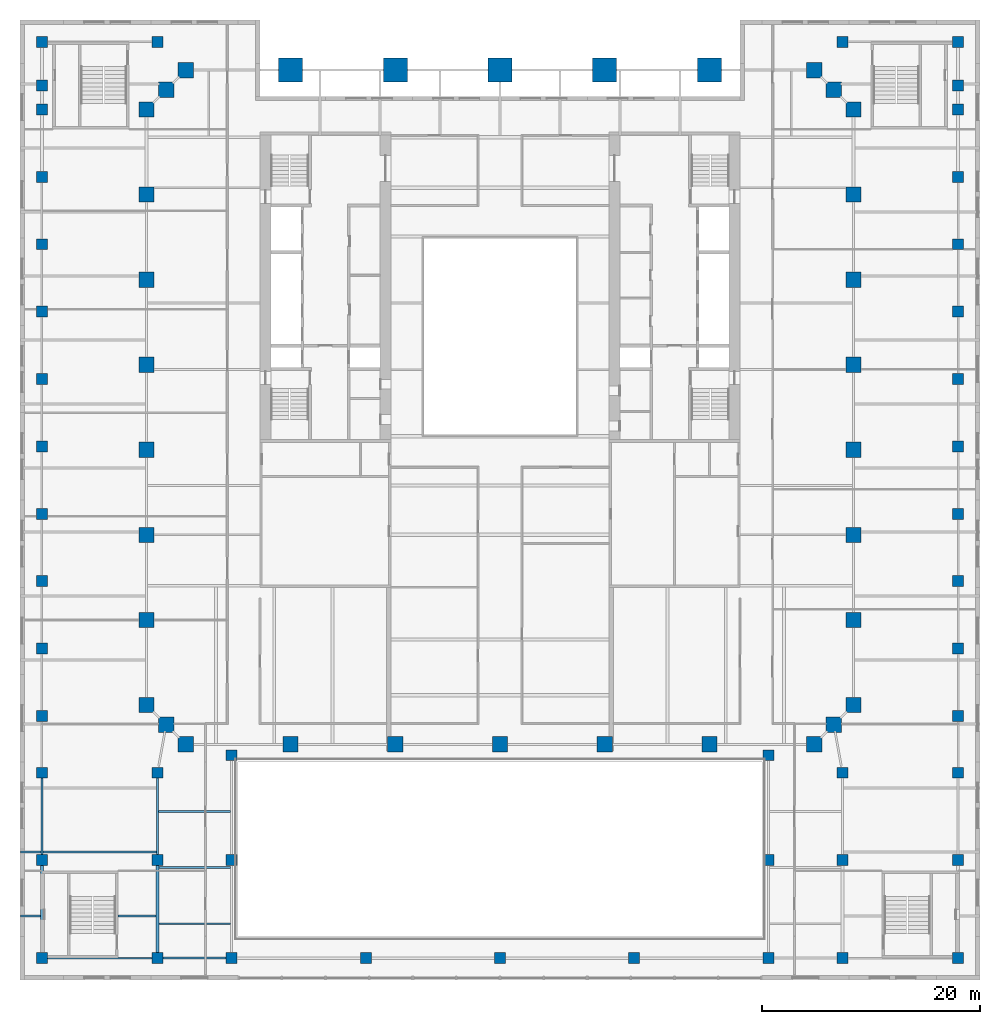
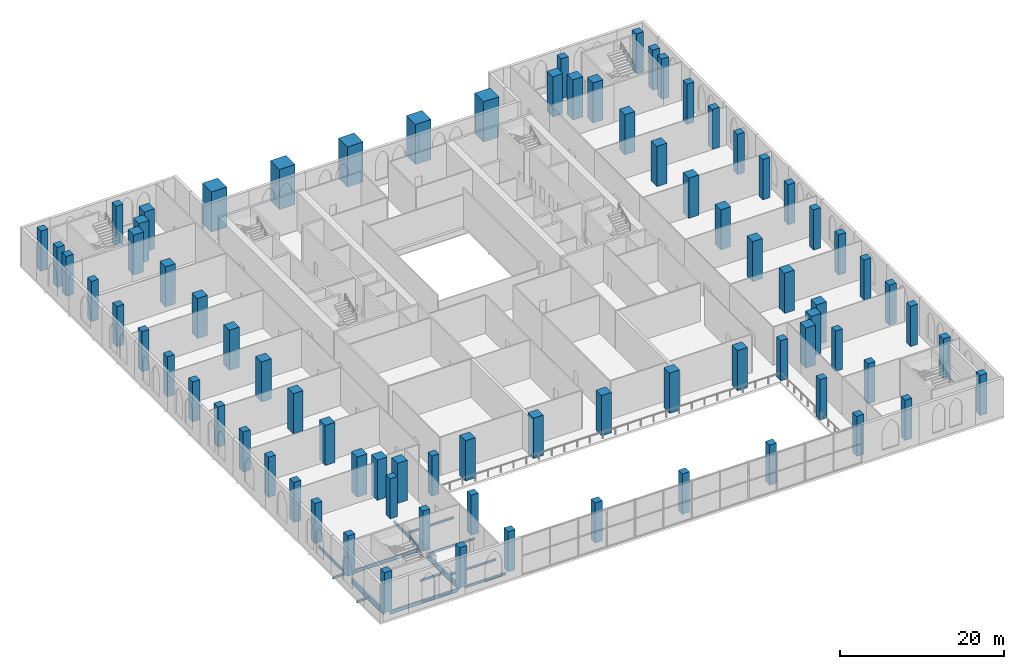
# One storey, part 1 of 21: 81 columns, 13 beams.
"""IFC4 building model written with IfcOpenShell, lengths in metres."""

from ifc_helpers import new_model, si_unit, direction, frame, origin, origin_2d, place, context, subcontext, project, spatial, rectangle, i_section, extrude, material, material_profile, profile_set, type_object, element, save


model = new_model("IFC4")

# Units and contexts
model_context = context("Model", 3, precision=1e-05, world=origin(), true_north=direction((0.0, 1.0)))
body_context = subcontext(model_context, "Body", "Model", "MODEL_VIEW")
ifc_project = project(units=[si_unit("LENGTHUNIT", "METRE"), si_unit("AREAUNIT", "SQUARE_METRE"), si_unit("VOLUMEUNIT", "CUBIC_METRE"), si_unit("PLANEANGLEUNIT", "RADIAN"), si_unit("MASSUNIT", "GRAM", prefix="KILO")], contexts=[model_context])

# Site, building, storey
site_placement = place(None, origin())
site = spatial("IfcSite", under=ifc_project, at=site_placement, CompositionType="ELEMENT")
building_placement = place(site_placement, origin())
building = spatial("IfcBuilding", under=site, at=building_placement, Name="Ogive Exchange Tower", CompositionType="ELEMENT")
storey_placement = place(building_placement, frame((0.0, 0.0, 8.0)))
storey = spatial("IfcBuildingStorey", under=building, at=storey_placement, Name="L01", CompositionType="ELEMENT", Elevation=8.0)

# Columns
ifc_material_1 = material(Name="Concrete C70/85", Category="concrete")
ifc_material_profile_1 = material_profile(ifc_material_1, rectangle(XDim=1.0, YDim=1.0, at=origin_2d()), Name="RC 1000x1000")
ifc_profile_set_1 = profile_set([ifc_material_profile_1], Name="Concrete C70/85")
column_type_1 = type_object("IfcColumnType", Name="RC column 1000x1000", PredefinedType="COLUMN", material=ifc_profile_set_1)
for number, where, z_axis, x_axis, name in (
    (1, (-42.0, -50.0, 0.0), (0.0, 0.0, 1.0), (1.0, 0.0, 0.0), "Podium column"),
    (2, (-31.39990234375, -50.0, 0.0), (0.0, 0.0, 1.0), (1.0, 0.0, 0.0), "Podium column"),
    (3, (-24.60009765625, -50.0, 0.0), (0.0, 0.0, 1.0), (1.0, 0.0, 0.0), "Podium column"),
    (4, (-12.300048828125, -50.0, 0.0), (0.0, 0.0, 1.0), (1.0, 0.0, 0.0), "Podium column"),
    (5, (0.0, -50.0, 0.0), (0.0, 0.0, 1.0), (1.0, 0.0, 0.0), "Podium column"),
    (6, (12.300048828125, -50.0, 0.0), (0.0, 0.0, 1.0), (1.0, 0.0, 0.0), "Podium column"),
    (7, (24.60009765625, -50.0, 0.0), (0.0, 0.0, 1.0), (1.0, 0.0, 0.0), "Podium column"),
    (8, (31.39990234375, -50.0, 0.0), (0.0, 0.0, 1.0), (1.0, 0.0, 0.0), "Podium column"),
    (9, (42.0, -50.0, 0.0), (0.0, 0.0, 1.0), (1.0, 0.0, 0.0), "Podium column"),
    (10, (-42.0, -41.0, 0.0), (0.0, 0.0, 1.0), (1.0, 0.0, 0.0), "Podium column"),
    (11, (-31.39990234375, -41.0, 0.0), (0.0, 0.0, 1.0), (1.0, 0.0, 0.0), "Podium column"),
    (12, (-24.60009765625, -41.0, 0.0), (0.0, 0.0, 1.0), (1.0, 0.0, 0.0), "Podium column"),
    (13, (24.60009765625, -41.0, 0.0), (0.0, 0.0, 1.0), (1.0, 0.0, 0.0), "Podium column"),
    (14, (31.39990234375, -41.0, 0.0), (0.0, 0.0, 1.0), (1.0, 0.0, 0.0), "Podium column"),
    (15, (42.0, -41.0, 0.0), (0.0, 0.0, 1.0), (1.0, 0.0, 0.0), "Podium column"),
    (16, (-42.0, -33.0, 0.0), (0.0, 0.0, 1.0), (1.0, 0.0, 0.0), "Podium column"),
    (17, (-31.39990234375, -33.0, 0.0), (0.0, 0.0, 1.0), (1.0, 0.0, 0.0), "Podium column"),
    (18, (31.39990234375, -33.0, 0.0), (0.0, 0.0, 1.0), (1.0, 0.0, 0.0), "Podium column"),
    (19, (42.0, -33.0, 0.0), (0.0, 0.0, 1.0), (1.0, 0.0, 0.0), "Podium column"),
    (20, (-24.60009765625, -31.39990234375, 0.0), (0.0, 0.0, 1.0), (1.0, 0.0, 0.0), "Podium column"),
    (21, (24.60009765625, -31.39990234375, 0.0), (0.0, 0.0, 1.0), (1.0, 0.0, 0.0), "Podium column"),
    (22, (-42.0, -27.800048828125, 0.0), (0.0, 0.0, 1.0), (1.0, 0.0, 0.0), "Podium column"),
    (23, (42.0, -27.800048828125, 0.0), (0.0, 0.0, 1.0), (1.0, 0.0, 0.0), "Podium column"),
    (24, (-42.0, -21.6201171875, 0.0), (0.0, 0.0, 1.0), (1.0, 0.0, 0.0), "Podium column"),
    (25, (42.0, -21.6201171875, 0.0), (0.0, 0.0, 1.0), (1.0, 0.0, 0.0), "Podium column"),
    (26, (-42.0, -15.43994140625, 0.0), (0.0, 0.0, 1.0), (1.0, 0.0, 0.0), "Podium column"),
    (27, (42.0, -15.43994140625, 0.0), (0.0, 0.0, 1.0), (1.0, 0.0, 0.0), "Podium column"),
    (28, (-42.0, -9.27001953125, 0.0), (0.0, 0.0, 1.0), (1.0, 0.0, 0.0), "Podium column"),
    (29, (42.0, -9.27001953125, 0.0), (0.0, 0.0, 1.0), (1.0, 0.0, 0.0), "Podium column"),
    (30, (-42.0, -3.090087890625, 0.0), (0.0, 0.0, 1.0), (1.0, 0.0, 0.0), "Podium column"),
    (31, (42.0, -3.090087890625, 0.0), (0.0, 0.0, 1.0), (1.0, 0.0, 0.0), "Podium column"),
    (32, (-42.0, 3.090087890625, 0.0), (0.0, 0.0, 1.0), (1.0, 0.0, 0.0), "Podium column"),
    (33, (42.0, 3.090087890625, 0.0), (0.0, 0.0, 1.0), (1.0, 0.0, 0.0), "Podium column"),
    (34, (-42.0, 9.27001953125, 0.0), (0.0, 0.0, 1.0), (1.0, 0.0, 0.0), "Podium column"),
    (35, (42.0, 9.27001953125, 0.0), (0.0, 0.0, 1.0), (1.0, 0.0, 0.0), "Podium column"),
    (36, (-42.0, 15.43994140625, 0.0), (0.0, 0.0, 1.0), (1.0, 0.0, 0.0), "Podium column"),
    (37, (42.0, 15.43994140625, 0.0), (0.0, 0.0, 1.0), (1.0, 0.0, 0.0), "Podium column"),
    (38, (-42.0, 21.6201171875, 0.0), (0.0, 0.0, 1.0), (1.0, 0.0, 0.0), "Podium column"),
    (39, (42.0, 21.6201171875, 0.0), (0.0, 0.0, 1.0), (1.0, 0.0, 0.0), "Podium column"),
    (40, (-42.0, 27.800048828125, 0.0), (0.0, 0.0, 1.0), (1.0, 0.0, 0.0), "Podium column"),
    (41, (42.0, 27.800048828125, 0.0), (0.0, 0.0, 1.0), (1.0, 0.0, 0.0), "Podium column"),
    (42, (-42.0, 30.0, 0.0), (0.0, 0.0, 1.0), (1.0, 0.0, 0.0), "Podium column"),
    (43, (42.0, 30.0, 0.0), (0.0, 0.0, 1.0), (1.0, 0.0, 0.0), "Podium column"),
    (44, (-42.0, 34.0, 0.0), (0.0, 0.0, 1.0), (1.0, 0.0, 0.0), "Podium column"),
    (45, (-31.39990234375, 34.0, 0.0), (0.0, 0.0, 1.0), (1.0, 0.0, 0.0), "Podium column"),
    (46, (31.39990234375, 34.0, 0.0), (0.0, 0.0, 1.0), (1.0, 0.0, 0.0), "Podium column"),
    (47, (42.0, 34.0, 0.0), (0.0, 0.0, 1.0), (1.0, 0.0, 0.0), "Podium column"),
):
    element("IfcColumn", number, at=place(storey_placement, frame(where, z_axis=z_axis, x_axis=x_axis)), inside=storey, type_object=column_type_1, Name=name, PredefinedType="COLUMN", context=body_context, shape_type="SweptSolid", body=[
        extrude(rectangle(XDim=1.0, YDim=1.0, at=origin_2d()), origin(), (0.0, 0.0, 1.0), 6.0),
    ])
ifc_material_profile_2 = material_profile(ifc_material_1, rectangle(XDim=1.39990234375, YDim=1.39990234375, at=origin_2d()), Name="RC 1400x1400")
ifc_profile_set_2 = profile_set([ifc_material_profile_2], Name="Concrete C70/85")
column_type_2 = type_object("IfcColumnType", Name="RC column 1400x1400", PredefinedType="COLUMN", material=ifc_profile_set_2)
for number, where, z_axis, x_axis, name in (
    (48, (-28.800048828125, -30.39990234375, 0.0), (0.0, 0.0, 1.0), (1.0, 0.0, 0.0), "Leg column"),
    (49, (-19.199951171875, -30.39990234375, 0.0), (0.0, 0.0, 1.0), (1.0, 0.0, 0.0), "Leg column"),
    (50, (-9.60009765625, -30.39990234375, 0.0), (0.0, 0.0, 1.0), (1.0, 0.0, 0.0), "Leg column"),
    (51, (0.0, -30.39990234375, 0.0), (0.0, 0.0, 1.0), (1.0, 0.0, 0.0), "Leg column"),
    (52, (9.60009765625, -30.39990234375, 0.0), (0.0, 0.0, 1.0), (1.0, 0.0, 0.0), "Leg column"),
    (53, (19.199951171875, -30.39990234375, 0.0), (0.0, 0.0, 1.0), (1.0, 0.0, 0.0), "Leg column"),
    (54, (28.800048828125, -30.39990234375, 0.0), (0.0, 0.0, 1.0), (1.0, 0.0, 0.0), "Leg column"),
    (55, (-30.60009765625, -28.60009765625, 0.0), (0.0, 0.0, 1.0), (1.0, 0.0, 0.0), "Leg column"),
    (56, (30.60009765625, -28.60009765625, 0.0), (0.0, 0.0, 1.0), (1.0, 0.0, 0.0), "Leg column"),
    (57, (-32.39990234375, -26.800048828125, 0.0), (0.0, 0.0, 1.0), (1.0, 0.0, 0.0), "Leg column"),
    (58, (32.39990234375, -26.800048828125, 0.0), (0.0, 0.0, 1.0), (1.0, 0.0, 0.0), "Leg column"),
    (59, (-32.39990234375, -19.0, 0.0), (0.0, 0.0, 1.0), (1.0, 0.0, 0.0), "Leg column"),
    (60, (32.39990234375, -19.0, 0.0), (0.0, 0.0, 1.0), (1.0, 0.0, 0.0), "Leg column"),
    (61, (-32.39990234375, -11.199951171875, 0.0), (0.0, 0.0, 1.0), (1.0, 0.0, 0.0), "Leg column"),
    (62, (32.39990234375, -11.199951171875, 0.0), (0.0, 0.0, 1.0), (1.0, 0.0, 0.0), "Leg column"),
    (63, (-32.39990234375, -3.39990234375, 0.0), (0.0, 0.0, 1.0), (1.0, 0.0, 0.0), "Leg column"),
    (64, (32.39990234375, -3.39990234375, 0.0), (0.0, 0.0, 1.0), (1.0, 0.0, 0.0), "Leg column"),
    (65, (-32.39990234375, 4.39990234375, 0.0), (0.0, 0.0, 1.0), (1.0, 0.0, 0.0), "Leg column"),
    (66, (32.39990234375, 4.39990234375, 0.0), (0.0, 0.0, 1.0), (1.0, 0.0, 0.0), "Leg column"),
    (67, (-32.39990234375, 12.199951171875, 0.0), (0.0, 0.0, 1.0), (1.0, 0.0, 0.0), "Leg column"),
    (68, (32.39990234375, 12.199951171875, 0.0), (0.0, 0.0, 1.0), (1.0, 0.0, 0.0), "Leg column"),
    (69, (-32.39990234375, 20.0, 0.0), (0.0, 0.0, 1.0), (1.0, 0.0, 0.0), "Leg column"),
    (70, (32.39990234375, 20.0, 0.0), (0.0, 0.0, 1.0), (1.0, 0.0, 0.0), "Leg column"),
    (71, (-32.39990234375, 27.800048828125, 0.0), (0.0, 0.0, 1.0), (1.0, 0.0, 0.0), "Leg column"),
    (72, (32.39990234375, 27.800048828125, 0.0), (0.0, 0.0, 1.0), (1.0, 0.0, 0.0), "Leg column"),
    (73, (-30.60009765625, 29.60009765625, 0.0), (0.0, 0.0, 1.0), (1.0, 0.0, 0.0), "Leg column"),
    (74, (30.60009765625, 29.60009765625, 0.0), (0.0, 0.0, 1.0), (1.0, 0.0, 0.0), "Leg column"),
    (75, (-28.800048828125, 31.39990234375, 0.0), (0.0, 0.0, 1.0), (1.0, 0.0, 0.0), "Leg column"),
    (76, (28.800048828125, 31.39990234375, 0.0), (0.0, 0.0, 1.0), (1.0, 0.0, 0.0), "Leg column"),
):
    element("IfcColumn", number, at=place(storey_placement, frame(where, z_axis=z_axis, x_axis=x_axis)), inside=storey, type_object=column_type_2, Name=name, PredefinedType="COLUMN", context=body_context, shape_type="SweptSolid", body=[
        extrude(rectangle(XDim=1.39990234375, YDim=1.39990234375, at=origin_2d()), origin(), (0.0, 0.0, 1.0), 6.0),
    ])
ifc_material_profile_3 = material_profile(ifc_material_1, rectangle(XDim=2.199951171875, YDim=2.199951171875, at=origin_2d()), Name="RC 2200x2200")
ifc_profile_set_3 = profile_set([ifc_material_profile_3], Name="Concrete C70/85")
column_type_3 = type_object("IfcColumnType", Name="RC pier 2200x2200", PredefinedType="COLUMN", material=ifc_profile_set_3)
for number, where, z_axis, x_axis, name in (
    (77, (-19.199951171875, 31.39990234375, 0.0), (0.0, 0.0, 1.0), (1.0, 0.0, 0.0), "Entrance pier"),
    (78, (-9.60009765625, 31.39990234375, 0.0), (0.0, 0.0, 1.0), (1.0, 0.0, 0.0), "Entrance pier"),
    (79, (0.0, 31.39990234375, 0.0), (0.0, 0.0, 1.0), (1.0, 0.0, 0.0), "Entrance pier"),
    (80, (9.60009765625, 31.39990234375, 0.0), (0.0, 0.0, 1.0), (1.0, 0.0, 0.0), "Entrance pier"),
    (81, (19.199951171875, 31.39990234375, 0.0), (0.0, 0.0, 1.0), (1.0, 0.0, 0.0), "Entrance pier"),
):
    element("IfcColumn", number, at=place(storey_placement, frame(where, z_axis=z_axis, x_axis=x_axis)), inside=storey, type_object=column_type_3, Name=name, PredefinedType="COLUMN", context=body_context, shape_type="SweptSolid", body=[
        extrude(rectangle(XDim=2.199951171875, YDim=2.199951171875, at=origin_2d()), origin(), (0.0, 0.0, 1.0), 6.0),
    ])

# Beams
ifc_material_2 = material(Name="Steel ASTM A992 Gr50", Category="steel")
ifc_material_profile_4 = material_profile(ifc_material_2, i_section(OverallWidth=0.1650390625, OverallDepth=0.31005859375, WebThickness=0.005859375, FlangeThickness=0.009765625, at=origin_2d()), Name="W310x38.7")
ifc_profile_set_4 = profile_set([ifc_material_profile_4], Name="Steel ASTM A992 Gr50")
beam_type_1 = type_object("IfcBeamType", Name="Floor beam W310x38.7", PredefinedType="JOIST", material=ifc_profile_set_4)
beam_1_placement = place(storey_placement, frame((-43.949951171875, -46.13330078125, -0.455078125), z_axis=(1.0, 0.0, 0.0), x_axis=(0.0, 1.0, 0.0)))
element("IfcBeam", 82, at=beam_1_placement, inside=storey, type_object=beam_type_1, Name="Floor beam", PredefinedType="JOIST", context=body_context, shape_type="SweptSolid", body=[
    extrude(i_section(OverallWidth=0.1650390625, OverallDepth=0.31005859375, WebThickness=0.005859375, FlangeThickness=0.009765625, at=origin_2d()), origin(), (0.0, 0.0, 1.0), 1.81640625),
])
beam_2_placement = place(storey_placement, frame((-35.0, -46.13330078125, -0.455078125), z_axis=(1.0, 0.0, 0.0), x_axis=(0.0, 1.0, 0.0)))
element("IfcBeam", 83, at=beam_2_placement, inside=storey, type_object=beam_type_1, Name="Floor beam", PredefinedType="JOIST", context=body_context, shape_type="SweptSolid", body=[
    extrude(i_section(OverallWidth=0.1650390625, OverallDepth=0.31005859375, WebThickness=0.005859375, FlangeThickness=0.009765625, at=origin_2d()), origin(), (0.0, 0.0, 1.0), 3.466552734375),
])
beam_3_placement = place(storey_placement, frame((-43.949951171875, -40.2666015625, -0.455078125), z_axis=(1.0, 0.0, 0.0), x_axis=(0.0, 1.0, 0.0)))
element("IfcBeam", 84, at=beam_3_placement, inside=storey, type_object=beam_type_1, Name="Floor beam", PredefinedType="JOIST", context=body_context, shape_type="SweptSolid", body=[
    extrude(i_section(OverallWidth=0.1650390625, OverallDepth=0.31005859375, WebThickness=0.005859375, FlangeThickness=0.009765625, at=origin_2d()), origin(), (0.0, 0.0, 1.0), 1.86083984375),
])
for number, where, z_axis, x_axis, name in (
    (85, (-31.2666015625, -46.85009765625, -0.455078125), (1.0, 0.0, 0.0), (0.0, 1.0, 0.0), "Floor beam"),
    (86, (-31.2666015625, -41.699951171875, -0.455078125), (1.0, 0.0, 0.0), (0.0, 1.0, 0.0), "Floor beam"),
):
    element("IfcBeam", number, at=place(storey_placement, frame(where, z_axis=z_axis, x_axis=x_axis)), inside=storey, type_object=beam_type_1, Name=name, PredefinedType="JOIST", context=body_context, shape_type="SweptSolid", body=[
        extrude(i_section(OverallWidth=0.1650390625, OverallDepth=0.31005859375, WebThickness=0.005859375, FlangeThickness=0.009765625, at=origin_2d()), origin(), (0.0, 0.0, 1.0), 6.571044921875),
    ])
beam_4_placement = place(storey_placement, frame((-31.31103515625, -36.550048828125, -0.455078125), z_axis=(1.0, 0.0, 0.0), x_axis=(0.0, 1.0, 0.0)))
element("IfcBeam", 87, at=beam_4_placement, inside=storey, type_object=beam_type_1, Name="Floor beam", PredefinedType="JOIST", context=body_context, shape_type="SweptSolid", body=[
    extrude(i_section(OverallWidth=0.1650390625, OverallDepth=0.31005859375, WebThickness=0.005859375, FlangeThickness=0.009765625, at=origin_2d()), origin(), (0.0, 0.0, 1.0), 6.62744140625),
])
ifc_material_profile_5 = material_profile(ifc_material_2, i_section(OverallWidth=0.1669921875, OverallDepth=0.535888671875, WebThickness=0.01025390625, FlangeThickness=0.0166015625, at=origin_2d()), Name="W530x85")
ifc_profile_set_5 = profile_set([ifc_material_profile_5], Name="Steel ASTM A992 Gr50")
beam_type_2 = type_object("IfcBeamType", Name="Floor beam W530x85", PredefinedType="JOIST", material=ifc_profile_set_5)
beam_5_placement = place(storey_placement, frame((-41.910888671875, -40.2666015625, -0.568115234375), z_axis=(1.0, 0.0, 0.0), x_axis=(0.0, 1.0, 0.0)))
element("IfcBeam", 88, at=beam_5_placement, inside=storey, type_object=beam_type_2, Name="Floor beam", PredefinedType="JOIST", context=body_context, shape_type="SweptSolid", body=[
    extrude(i_section(OverallWidth=0.1669921875, OverallDepth=0.535888671875, WebThickness=0.01025390625, FlangeThickness=0.0166015625, at=origin_2d()), origin(), (0.0, 0.0, 1.0), 10.421875),
])
ifc_material_profile_6 = material_profile(ifc_material_2, i_section(OverallWidth=0.1708984375, OverallDepth=0.35595703125, WebThickness=0.00732421875, FlangeThickness=0.01171875, at=origin_2d()), Name="W360x51")
ifc_profile_set_6 = profile_set([ifc_material_profile_6], Name="Steel ASTM A992 Gr50")
beam_type_3 = type_object("IfcBeamType", Name="Girder W360x51", PredefinedType="BEAM", material=ifc_profile_set_6)
beam_6_placement = place(storey_placement, frame((-30.89990234375, -50.0, -0.47802734375), z_axis=(1.0, 0.0, 0.0), x_axis=(0.0, 1.0, 0.0)))
element("IfcBeam", 89, at=beam_6_placement, inside=storey, type_object=beam_type_3, Name="Girder", PredefinedType="BEAM", context=body_context, shape_type="SweptSolid", body=[
    extrude(i_section(OverallWidth=0.1708984375, OverallDepth=0.35595703125, WebThickness=0.00732421875, FlangeThickness=0.01171875, at=origin_2d()), origin(), (0.0, 0.0, 1.0), 5.7998046875),
])
ifc_material_profile_7 = material_profile(ifc_material_2, i_section(OverallWidth=0.177978515625, OverallDepth=0.406005859375, WebThickness=0.0078125, FlangeThickness=0.0126953125, at=origin_2d()), Name="W410x60")
ifc_profile_set_7 = profile_set([ifc_material_profile_7], Name="Steel ASTM A992 Gr50")
beam_type_4 = type_object("IfcBeamType", Name="Girder W410x60", PredefinedType="BEAM", material=ifc_profile_set_7)
for number, where, z_axis, x_axis, name in (
    (90, (-31.39990234375, -40.5, -0.5029296875), (0.0, 1.0, 0.0), (-1.0, 0.0, 0.0), "Girder"),
    (91, (-42.0, -40.5, -0.5029296875), (0.0, 1.0, 0.0), (-1.0, 0.0, 0.0), "Girder"),
):
    element("IfcBeam", number, at=place(storey_placement, frame(where, z_axis=z_axis, x_axis=x_axis)), inside=storey, type_object=beam_type_4, Name=name, PredefinedType="BEAM", context=body_context, shape_type="SweptSolid", body=[
        extrude(i_section(OverallWidth=0.177978515625, OverallDepth=0.406005859375, WebThickness=0.0078125, FlangeThickness=0.0126953125, at=origin_2d()), origin(), (0.0, 0.0, 1.0), 7.0),
    ])
ifc_material_profile_8 = material_profile(ifc_material_2, i_section(OverallWidth=0.1669921875, OverallDepth=0.535888671875, WebThickness=0.01025390625, FlangeThickness=0.0166015625, at=origin_2d()), Name="W530x85")
ifc_profile_set_8 = profile_set([ifc_material_profile_8], Name="Steel ASTM A992 Gr50")
beam_type_5 = type_object("IfcBeamType", Name="Girder W530x85", PredefinedType="BEAM", material=ifc_profile_set_8)
beam_7_placement = place(storey_placement, frame((-41.5, -50.0, -0.568115234375), z_axis=(1.0, 0.0, 0.0), x_axis=(0.0, 1.0, 0.0)))
element("IfcBeam", 92, at=beam_7_placement, inside=storey, type_object=beam_type_5, Name="Girder", PredefinedType="BEAM", context=body_context, shape_type="SweptSolid", body=[
    extrude(i_section(OverallWidth=0.1669921875, OverallDepth=0.535888671875, WebThickness=0.01025390625, FlangeThickness=0.0166015625, at=origin_2d()), origin(), (0.0, 0.0, 1.0), 9.60009765625),
])
ifc_material_profile_9 = material_profile(ifc_material_2, i_section(OverallWidth=0.26708984375, OverallDepth=0.75390625, WebThickness=0.01318359375, FlangeThickness=0.01708984375, at=origin_2d()), Name="W760x147")
ifc_profile_set_9 = profile_set([ifc_material_profile_9], Name="Steel ASTM A992 Gr50")
beam_type_6 = type_object("IfcBeamType", Name="Girder W760x147", PredefinedType="BEAM", material=ifc_profile_set_9)
for number, where, z_axis, x_axis, name in (
    (93, (-31.39990234375, -49.5, -0.677001953125), (0.0, 1.0, 0.0), (-1.0, 0.0, 0.0), "Girder"),
    (94, (-42.0, -49.5, -0.677001953125), (0.0, 1.0, 0.0), (-1.0, 0.0, 0.0), "Girder"),
):
    element("IfcBeam", number, at=place(storey_placement, frame(where, z_axis=z_axis, x_axis=x_axis)), inside=storey, type_object=beam_type_6, Name=name, PredefinedType="BEAM", context=body_context, shape_type="SweptSolid", body=[
        extrude(i_section(OverallWidth=0.26708984375, OverallDepth=0.75390625, WebThickness=0.01318359375, FlangeThickness=0.01708984375, at=origin_2d()), origin(), (0.0, 0.0, 1.0), 8.0),
    ])

save(model, "model.ifc")
